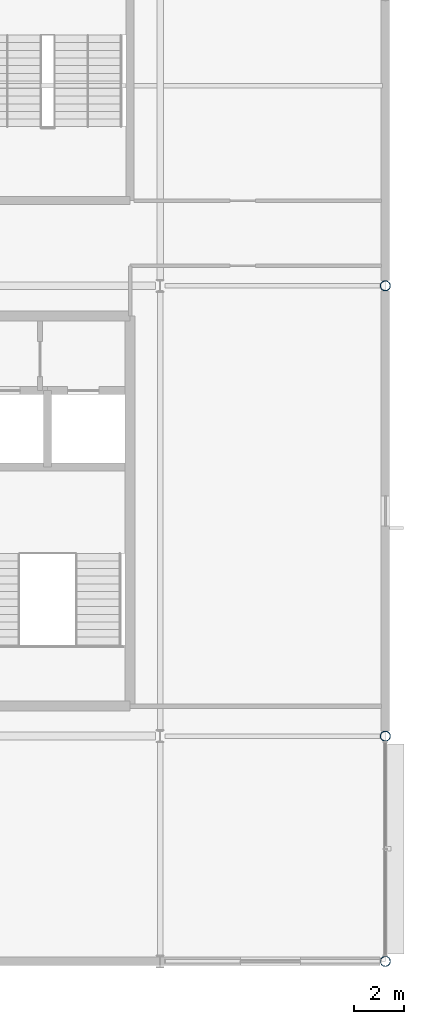
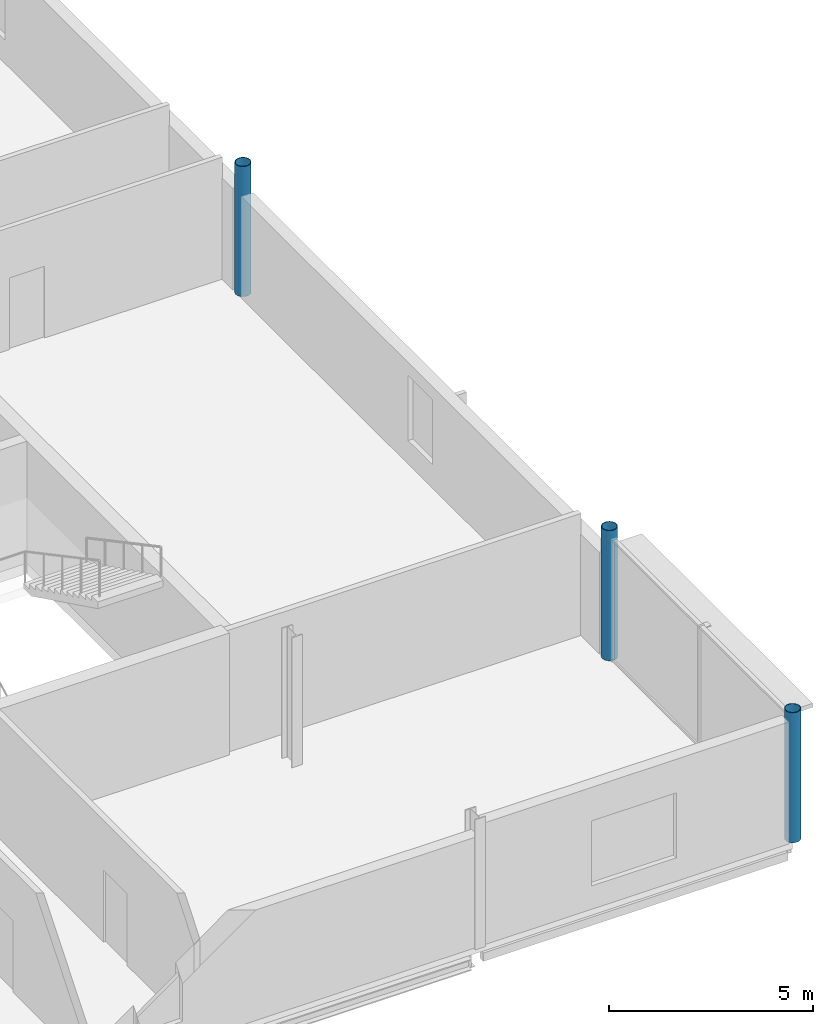
# One storey, part 12 of 96: 3 columns.
"""IFC4 building model written with IfcOpenShell, lengths in metres."""

import ifcopenshell
import ifcopenshell.guid

model = None  # the IFC model being written
_history = None  # IfcOwnerHistory: only IFC2X3 demands one
_inside = {}  # id of a spatial element -> (the spatial element, [elements in it])
_under = {}  # id of a project, library or spatial element -> (it, [spatial elements below it])
_declared = {}  # id of a project -> (the project, [libraries it declares])
_typed = {}  # id of a type object -> (the type object, [elements of that type])
_made_of = {}  # id of a material, layer set ... -> (it, [elements and type objects made of it])


def new_model(schema):
    """Start an empty IFC model of exactly this schema.

    Asked for "IFC4X3", IfcOpenShell would pick the latest addendum, in which some entities
    have other attributes; the version numbers below select the first issue.
    IFC2X3 requires an IfcOwnerHistory on every rooted entity: one is made here for all.
    """
    global model, _history
    if schema == "IFC4X3":
        model = ifcopenshell.file(schema_version=(4, 3, 0, 0))
    else:
        model = ifcopenshell.file(schema=schema)
    _inside.clear()
    _under.clear()
    _declared.clear()
    _typed.clear()
    _made_of.clear()
    _history = None
    if model.schema == "IFC2X3":
        org = make("IfcOrganization", Name="unknown")
        user = make(
            "IfcPersonAndOrganization",
            ThePerson=make("IfcPerson", FamilyName="unknown"),
            TheOrganization=org,
        )
        app = make(
            "IfcApplication",
            ApplicationDeveloper=org,
            Version="unknown",
            ApplicationFullName="unknown",
            ApplicationIdentifier="unknown",
        )
        _history = make(
            "IfcOwnerHistory",
            OwningUser=user,
            OwningApplication=app,
            ChangeAction="ADDED",
            CreationDate=0,
        )
    return model


def make(cls, **values):
    """One entity of the class cls with the attributes given. An attribute that is None is left unset."""
    return model.create_entity(
        cls, **{name: value for name, value in values.items() if value is not None}
    )


def rooted(cls, **values):
    """An entity with a GlobalId (a new one), such as an element, a storey or a relation."""
    return make(cls, GlobalId=ifcopenshell.guid.new(), OwnerHistory=_history, **values)


def si_unit(unit_type, name, prefix=None):
    """IfcSIUnit, for example si_unit("LENGTHUNIT", "METRE", prefix="MILLI")."""
    return make("IfcSIUnit", UnitType=unit_type, Prefix=prefix, Name=name)


def assignment(units):
    """IfcUnitAssignment: the units of a project."""
    return None if units is None else make("IfcUnitAssignment", Units=units)


def point(xyz):
    """IfcCartesianPoint."""
    return None if xyz is None else make("IfcCartesianPoint", Coordinates=xyz)


def direction(xyz):
    """IfcDirection."""
    return None if xyz is None else make("IfcDirection", DirectionRatios=xyz)


def frame(location, z_axis=None, x_axis=None):
    """IfcAxis2Placement3D, a coordinate frame: its origin and axes. An axis left out is left unset."""
    return make(
        "IfcAxis2Placement3D",
        Location=point(location),
        Axis=direction(z_axis),
        RefDirection=direction(x_axis),
    )


def frame_2d(location, x_axis=None):
    """IfcAxis2Placement2D, a coordinate frame in the plane: its origin and x axis."""
    return make(
        "IfcAxis2Placement2D", Location=point(location), RefDirection=direction(x_axis)
    )


def origin():
    """The frame at (0, 0, 0) with its axes left unset."""
    return frame((0.0, 0.0, 0.0))


def origin_2d():
    """The frame at (0, 0) in the plane with its x axis left unset."""
    return frame_2d((0.0, 0.0))


def place(relative_to, where):
    """IfcLocalPlacement: puts the frame where relative to a parent placement (None: the world)."""
    return make(
        "IfcLocalPlacement", PlacementRelTo=relative_to, RelativePlacement=where
    )


def context(
    kind, dimensions, precision=None, world=None, true_north=None, identifier=None
):
    """IfcGeometricRepresentationContext, for example the 3D "Model" context."""
    return make(
        "IfcGeometricRepresentationContext",
        ContextIdentifier=identifier,
        ContextType=kind,
        CoordinateSpaceDimension=dimensions,
        Precision=precision,
        WorldCoordinateSystem=world,
        TrueNorth=true_north,
    )


def subcontext(parent, identifier, kind, view, scale=None):
    """IfcGeometricRepresentationSubContext, for example "Body" below "Model"."""
    return make(
        "IfcGeometricRepresentationSubContext",
        ContextIdentifier=identifier,
        ContextType=kind,
        ParentContext=parent,
        TargetScale=scale,
        TargetView=view,
    )


def project(units=None, contexts=None):
    """IfcProject with its units and contexts."""
    return rooted(
        "IfcProject",
        Name="project",
        RepresentationContexts=contexts,
        UnitsInContext=assignment(units),
    )


def spatial(cls, under=None, at=None, **own):
    """A site, building, storey or space (cls), placed at a placement, below another one or the project."""
    s = rooted(cls, ObjectPlacement=at, **own)
    if under is not None:
        _under.setdefault(under.id(), (under, []))[1].append(s)
    return s


def profile(cls, at=None, kind="AREA", **sizes):
    """A parametric profile (cls). Its sizes go by their IFC names, for example OverallWidth=200.0."""
    return make(cls, ProfileType=kind, Position=at, **sizes)


def hollow_circle(**sizes):
    """IfcCircleHollowProfileDef."""
    return profile("IfcCircleHollowProfileDef", **sizes)


def extrude(swept, where, along, depth):
    """IfcExtrudedAreaSolid: the profile swept, set in the frame where, extruded along a direction by depth."""
    return make(
        "IfcExtrudedAreaSolid",
        SweptArea=swept,
        Position=where,
        ExtrudedDirection=direction(along),
        Depth=depth,
    )


def shape(context_of_items, identifier, shape_type, items):
    """IfcShapeRepresentation: the items that make up one representation, for example the "Body"."""
    return make(
        "IfcShapeRepresentation",
        ContextOfItems=context_of_items,
        RepresentationIdentifier=identifier,
        RepresentationType=shape_type,
        Items=items,
    )


def material(Name=None, Category=None):
    """IfcMaterial."""
    return make("IfcMaterial", Name=Name, Category=Category)


def material_profile(
    of_material, cross_section, Name=None, Category=None, Priority=None
):
    """IfcMaterialProfile: a cross section and its material."""
    return make(
        "IfcMaterialProfile",
        Name=Name,
        Material=of_material,
        Profile=cross_section,
        Priority=Priority,
        Category=Category,
    )


def profile_set(profiles, Name=None, composite=None):
    """IfcMaterialProfileSet."""
    return make(
        "IfcMaterialProfileSet",
        Name=Name,
        MaterialProfiles=profiles,
        CompositeProfile=composite,
    )


def made_of(thing, what):
    """Note that an element or type object is made of a material, layer set ...; save() writes the relation."""
    if what is not None:
        _made_of.setdefault(what.id(), (what, []))[1].append(thing)
    return thing


def type_object(cls, material=None, **own):
    """A type object (cls), such as IfcWallType, which elements share."""
    return made_of(rooted(cls, **own), material)


def element(
    cls,
    number,
    at=None,
    inside=None,
    cuts=None,
    type_object=None,
    material=None,
    context=None,
    identifier="Body",
    shape_type=None,
    held_by="IfcProductDefinitionShape",
    body=None,
    shapes=None,
    **own,
):
    """One element of the class cls, such as IfcWall. Its Tag is "e" and its number.

    at: its placement. inside: the storey or other place that contains it. cuts: it is an
    opening in that element (IfcRelVoidsElement). A single representation is given by context,
    identifier, shape_type and body (its items); several are given by shapes. held_by: the class
    of the entity that holds the representations. save() writes the other relations.
    """
    e = rooted(cls, Tag="e%d" % number, ObjectPlacement=at, **own)
    if body is not None:
        shapes = [shape(context, identifier, shape_type, body)]
    if shapes is not None:
        e.Representation = make(held_by, Representations=shapes)
    if inside is not None:
        _inside.setdefault(inside.id(), (inside, []))[1].append(e)
    if cuts is not None:
        rooted(
            "IfcRelVoidsElement", RelatingBuildingElement=cuts, RelatedOpeningElement=e
        )
    if type_object is not None:
        _typed.setdefault(type_object.id(), (type_object, []))[1].append(e)
    return made_of(e, material)


def aggregate(whole, parts):
    """IfcRelAggregates: a whole, such as a stair, and the parts it consists of."""
    return rooted("IfcRelAggregates", RelatingObject=whole, RelatedObjects=parts)


def save(model, path):
    """Write the relations noted so far, then the file.

    IfcRelAggregates (storeys below a building ...), IfcRelContainedInSpatialStructure (elements
    in a storey), IfcRelDefinesByType, IfcRelAssociatesMaterial and IfcRelDeclares: one each for
    every whole, place, type object, material and project.
    """
    for whole, parts in _under.values():
        aggregate(whole, parts)
    for where, things in _inside.values():
        rooted(
            "IfcRelContainedInSpatialStructure",
            RelatedElements=things,
            RelatingStructure=where,
        )
    for kind, things in _typed.values():
        rooted("IfcRelDefinesByType", RelatedObjects=things, RelatingType=kind)
    for what, things in _made_of.values():
        rooted("IfcRelAssociatesMaterial", RelatedObjects=things, RelatingMaterial=what)
    for by, libraries in _declared.values():
        rooted("IfcRelDeclares", RelatingContext=by, RelatedDefinitions=libraries)
    model.write(path)


model = new_model("IFC4")

# Units and contexts
model_context = context("Model", 3, precision=1e-05, world=origin(), true_north=direction((0.0, 1.0)))
body_context = subcontext(model_context, "Body", "Model", "MODEL_VIEW")
ifc_project = project(units=[si_unit("LENGTHUNIT", "METRE"), si_unit("AREAUNIT", "SQUARE_METRE"), si_unit("VOLUMEUNIT", "CUBIC_METRE"), si_unit("PLANEANGLEUNIT", "RADIAN"), si_unit("MASSUNIT", "GRAM", prefix="KILO")], contexts=[model_context])

# Site, building, storey
site_placement = place(None, origin())
site = spatial("IfcSite", under=ifc_project, at=site_placement, CompositionType="ELEMENT")
building_placement = place(site_placement, origin())
building = spatial("IfcBuilding", under=site, at=building_placement, Name="Kisiwana Market Hall", CompositionType="ELEMENT")
storey_placement = place(building_placement, frame((0.0, 0.0, 25.5)))
storey = spatial("IfcBuildingStorey", under=building, at=storey_placement, Name="L05", CompositionType="ELEMENT", Elevation=25.5)

# Columns
ifc_material = material(Name="Steel S355", Category="steel")
ifc_material_profile = material_profile(ifc_material, hollow_circle(Radius=0.203125, WallThickness=0.01611328125, at=origin_2d()), Name="CHS 406.4x16")
ifc_profile_set = profile_set([ifc_material_profile], Name="Steel S355")
column_type = type_object("IfcColumnType", Name="COL-STL-CHS406", PredefinedType="COLUMN", material=ifc_profile_set)
for number, where, z_axis, x_axis, name in (
    (1, (198.0, 9.0, 0.0), (0.0, 0.0, 1.0), (1.0, 0.0, 0.0), "Column B/23 (L05) C-0965"),
    (2, (198.0, 18.0, 0.0), (0.0, 0.0, 1.0), (1.0, 0.0, 0.0), "Column C/23 (L05) C-0966"),
    (3, (198.0, 36.0, 0.0), (0.0, 0.0, 1.0), (1.0, 0.0, 0.0), "Column E/23 (L05) C-0967"),
):
    element("IfcColumn", number, at=place(storey_placement, frame(where, z_axis=z_axis, x_axis=x_axis)), inside=storey, type_object=column_type, Name=name, PredefinedType="COLUMN", context=body_context, shape_type="SweptSolid", body=[
        extrude(hollow_circle(Radius=0.203125, WallThickness=0.01611328125, at=origin_2d()), origin(), (0.0, 0.0, 1.0), 3.89990234375),
    ])

save(model, "model.ifc")
